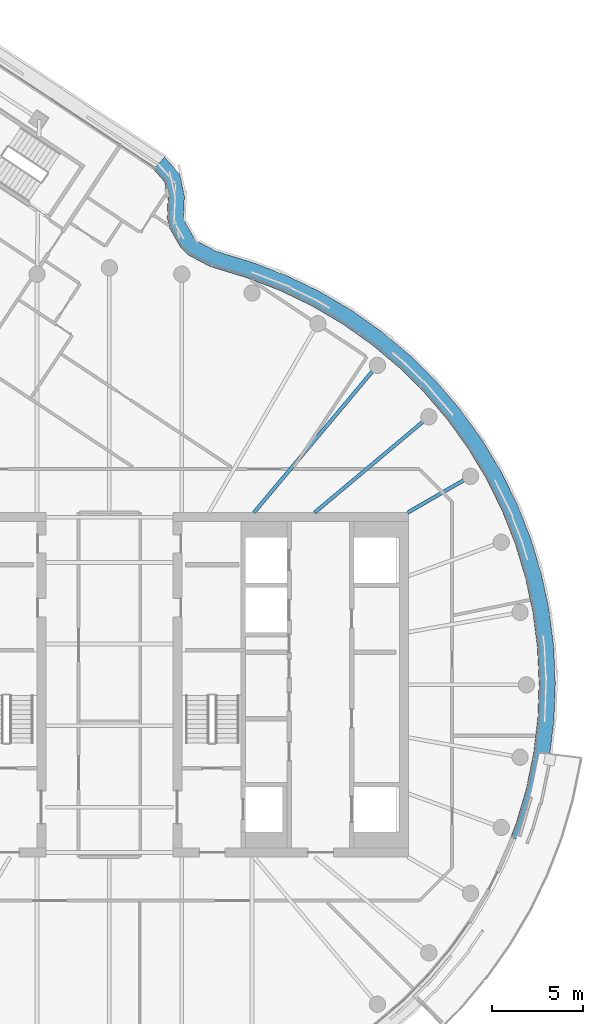
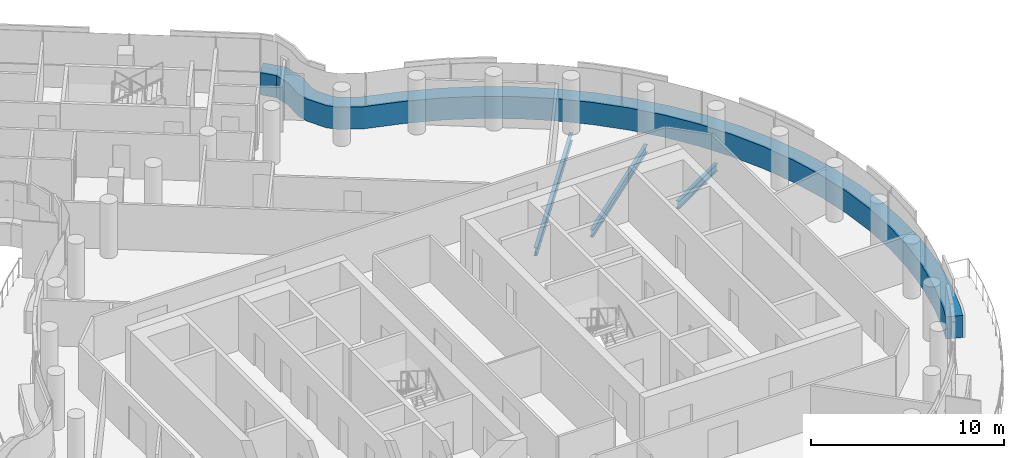
# One storey, part 12 of 27: 3 beams, 1 member, 1 element without a shape of its own.
"""IFC4 building model written with IfcOpenShell, lengths in metres."""

from ifc_helpers import new_model, si_unit, direction, frame, origin, origin_2d, place, context, subcontext, project, spatial, polyline, i_section, outline, extrude, material, layer, layer_set, material_profile, profile_set, type_object, element, aggregate, save


model = new_model("IFC4")

# Units and contexts
model_context = context("Model", 3, precision=1e-05, world=origin(), true_north=direction((0.0, 1.0)))
body_context = subcontext(model_context, "Body", "Model", "MODEL_VIEW")
ifc_project = project(units=[si_unit("LENGTHUNIT", "METRE"), si_unit("AREAUNIT", "SQUARE_METRE"), si_unit("VOLUMEUNIT", "CUBIC_METRE"), si_unit("PLANEANGLEUNIT", "RADIAN"), si_unit("MASSUNIT", "GRAM", prefix="KILO")], contexts=[model_context])

# Site, building, storey
site_placement = place(None, origin())
site = spatial("IfcSite", under=ifc_project, at=site_placement, CompositionType="ELEMENT")
building_placement = place(site_placement, origin())
building = spatial("IfcBuilding", under=site, at=building_placement, Name="Tamarind Cross Interchange Tower", CompositionType="ELEMENT")
storey_placement = place(building_placement, frame((0.0, 0.0, 237.89990234375)))
storey = spatial("IfcBuildingStorey", under=building, at=storey_placement, Name="L60", CompositionType="ELEMENT", Elevation=237.89990234375)

# Beams
ifc_material_1 = material(Name="Steel Q355B", Category="steel")
ifc_material_profile = material_profile(ifc_material_1, i_section(OverallWidth=0.198974609375, OverallDepth=0.49609375, WebThickness=0.009033203125, FlangeThickness=0.013916015625, FilletRadius=0.012939453125, at=origin_2d()), Name="HN 496x199x9x14")
ifc_profile_set = profile_set([ifc_material_profile], Name="Steel Q355B")
beam_type = type_object("IfcBeamType", Name="Composite beam HN 496x199x9x14 Q355B", PredefinedType="BEAM", material=ifc_profile_set)
beam_1_placement = place(storey_placement, frame((19.918701171875, 11.5, -0.387939453125), z_axis=(-0.866026010844, -0.49999894854, 0.0), x_axis=(0.49999894854, -0.866026010844, 0.0)))
element("IfcBeam", 1, at=beam_1_placement, inside=storey, type_object=beam_type, Name="Beam HH03", PredefinedType="BEAM", context=body_context, shape_type="SweptSolid", body=[
    extrude(i_section(OverallWidth=0.198974609375, OverallDepth=0.49609375, WebThickness=0.009033203125, FlangeThickness=0.013916015625, FilletRadius=0.012939453125, at=origin_2d()), origin(), (0.0, 0.0, 1.0), 4.0),
])
beam_2_placement = place(storey_placement, frame((17.619140625, 14.7841796875, -0.387939453125), z_axis=(-0.766040580814, -0.642792212574, 0.0), x_axis=(0.642792212574, -0.766040580814, 0.0)))
element("IfcBeam", 2, at=beam_2_placement, inside=storey, type_object=beam_type, Name="Beam HH04", PredefinedType="BEAM", context=body_context, shape_type="SweptSolid", body=[
    extrude(i_section(OverallWidth=0.198974609375, OverallDepth=0.49609375, WebThickness=0.009033203125, FlangeThickness=0.013916015625, FilletRadius=0.012939453125, at=origin_2d()), origin(), (0.0, 0.0, 1.0), 8.220703125),
])
beam_3_placement = place(storey_placement, frame((14.7841796875, 17.619140625, -0.387939453125), z_axis=(-0.642786293979, -0.766045547127, 0.0), x_axis=(0.766045547127, -0.642786293979, 0.0)))
element("IfcBeam", 3, at=beam_3_placement, inside=storey, type_object=beam_type, Name="Beam HH05", PredefinedType="BEAM", context=body_context, shape_type="SweptSolid", body=[
    extrude(i_section(OverallWidth=0.198974609375, OverallDepth=0.49609375, WebThickness=0.009033203125, FlangeThickness=0.013916015625, FilletRadius=0.012939453125, at=origin_2d()), origin(), (0.0, 0.0, 1.0), 10.598876953125),
])

# Curtain wall, member
ifc_material_2 = material(Name="Aluminium 6063-T6", Category="aluminium")
ifc_layer = layer(ifc_material_2, 0.139892578125)
ifc_layer_set = layer_set([ifc_layer], Name="Aluminium 6063-T6")
curtain_wall_type = type_object("IfcCurtainWallType", Name="Hotel curtain wall, 4.5 m bays", PredefinedType="NOTDEFINED", material=ifc_layer_set)
curtain_wall_placement = place(storey_placement, origin())
curtain_wall = element("IfcCurtainWall", 4, at=curtain_wall_placement, inside=storey, type_object=curtain_wall_type, Name="CWS-L60-02", PredefinedType="NOTDEFINED")
ifc_material_3 = material(Name="Aluminium and insulated spandrel panel", Category="aluminium")
member_type = type_object("IfcMemberType", Name="Floor-edge blade transom", PredefinedType="USERDEFINED", material=ifc_material_3)
member_placement = place(storey_placement, origin())
member = element("IfcMember", 5, at=member_placement, type_object=member_type, Name="CWT-L60-02-1", ObjectType="TRANSOM", PredefinedType="USERDEFINED", context=body_context, shape_type="SweptSolid", body=[
    extrude(outline(polyline([(22.136474609375, -8.3974609375), (22.444580078125, -7.597412109375), (22.995361328125, -5.718017578125), (23.38916015625, -3.799560546875), (23.623046875, -1.855224609375), (23.695556640625, 0.10205078125), (23.606201171875, 2.058349609375), (23.35546875, 4.000732421875), (22.9453125, 5.915771484375), (22.37841796875, 7.790283203125), (21.65869140625, 9.61181640625), (20.791015625, 11.367431640625), (19.78125, 13.045654296875), (18.636474609375, 14.634521484375), (17.3642578125, 16.12353515625), (15.973388671875, 17.50244140625), (14.4736328125, 18.76171875), (12.874755859375, 19.892822265625), (11.188232421875, 20.88818359375), (9.425048828125, 21.74072265625), (7.595703125, 22.4453125), (5.53369140625, 23.078125), (4.3740234375, 23.69384765625), (3.922119140625, 24.131591796875), (3.33349609375, 25.15966796875), (3.184814453125, 25.771240234375), (3.23193359375, 26.870849609375), (3.041015625, 27.7490234375), (2.443359375, 28.420166015625), (3.037841796875, 29.10546875), (3.870361328125, 28.171142578125), (4.13623046875, 26.9482421875), (4.08935546875, 25.85986328125), (4.177978515625, 25.496337890625), (4.6396484375, 24.689453125), (4.90869140625, 24.428955078125), (5.8798828125, 23.913330078125), (7.889892578125, 23.296630859375), (9.783203125, 22.567138671875), (11.613525390625, 21.68212890625), (13.3642578125, 20.64892578125), (15.023681640625, 19.474853515625), (16.580810546875, 18.167724609375), (18.0244140625, 16.736572265625), (19.344970703125, 15.19091796875), (20.533203125, 13.54150390625), (21.581298828125, 11.799560546875), (22.482177734375, 9.97705078125), (23.229248046875, 8.08642578125), (23.817626953125, 6.140625), (24.243408203125, 4.15283203125), (24.50341796875, 2.13671875), (24.59619140625, 0.10595703125), (24.52099609375, -1.925537109375), (24.2783203125, -3.944091796875), (23.86962890625, -5.935302734375), (23.2978515625, -7.88623046875), (22.97802734375, -8.716796875), (22.136474609375, -8.3974609375)])), origin(), (0.0, 0.0, 1.0), 1.400146484375),
])
aggregate(curtain_wall, [member])

save(model, "model.ifc")
